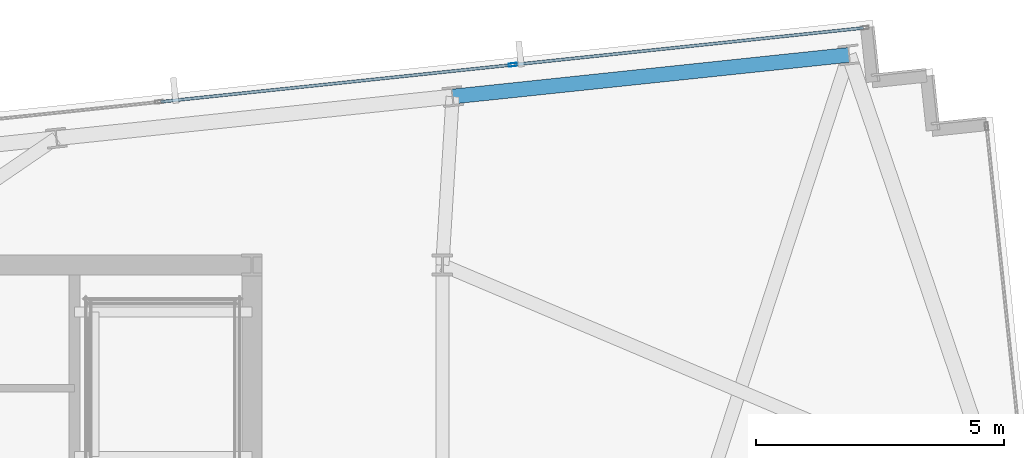
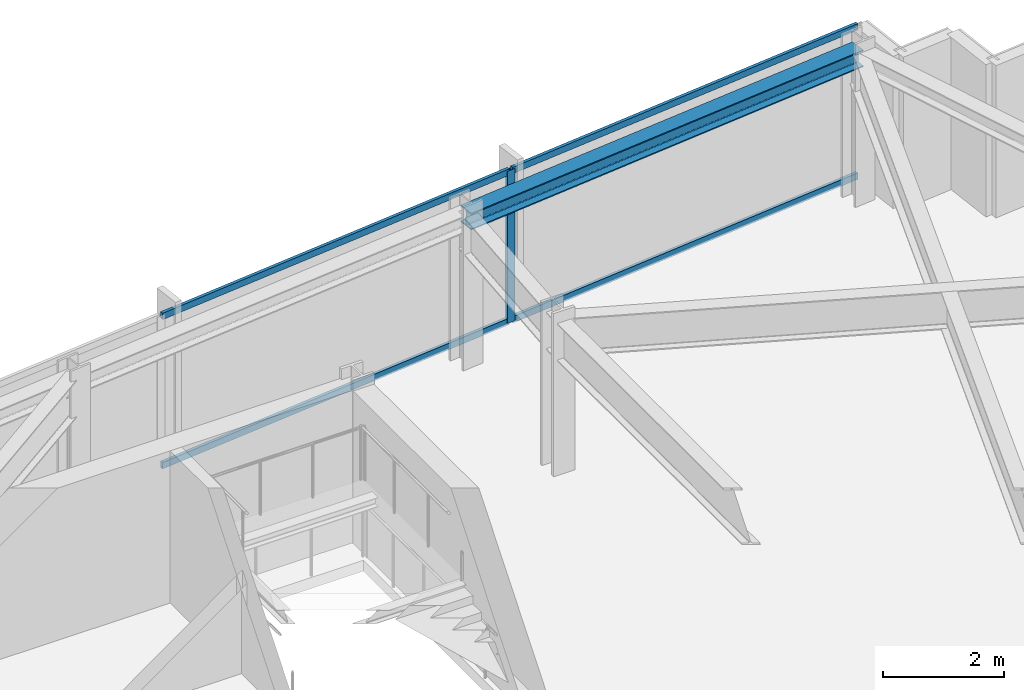
# One storey, part 24 of 32: 5 members, 1 beam, 1 element without a shape of its own.
"""IFC4 building model written with IfcOpenShell, lengths in metres."""

from ifc_helpers import new_model, si_unit, direction, frame, origin, origin_2d, place, context, subcontext, project, spatial, hollow_rectangle, i_section, extrude, material, material_profile, profile_set, type_object, element, aggregate, save


model = new_model("IFC4")

# Units and contexts
model_context = context("Model", 3, precision=1e-05, world=origin(), true_north=direction((0.0, 1.0)))
body_context = subcontext(model_context, "Body", "Model", "MODEL_VIEW")
ifc_project = project(units=[si_unit("LENGTHUNIT", "METRE"), si_unit("AREAUNIT", "SQUARE_METRE"), si_unit("VOLUMEUNIT", "CUBIC_METRE"), si_unit("PLANEANGLEUNIT", "RADIAN"), si_unit("MASSUNIT", "GRAM", prefix="KILO")], contexts=[model_context])

# Site, building, storey
site_placement = place(None, origin())
site = spatial("IfcSite", under=ifc_project, at=site_placement, CompositionType="ELEMENT")
building_placement = place(site_placement, origin())
building = spatial("IfcBuilding", under=site, at=building_placement, Name="Yelkora Congress Tower", CompositionType="ELEMENT")
storey_placement = place(building_placement, frame((0.0, 0.0, 211.10009765625)))
storey = spatial("IfcBuildingStorey", under=building, at=storey_placement, Name="L58", CompositionType="ELEMENT", Elevation=211.10009765625)

# Beam
ifc_material_1 = material(Name="Steel S355J2", Category="steel")
ifc_material_profile_1 = material_profile(ifc_material_1, i_section(OverallWidth=0.300048828125, OverallDepth=0.340087890625, WebThickness=0.011962890625, FlangeThickness=0.021484375, FilletRadius=0.027099609375, at=origin_2d()), Name="HEB 340")
ifc_profile_set_1 = profile_set([ifc_material_profile_1], Name="Steel S355J2")
beam_type = type_object("IfcBeamType", Name="BM-SPAN-HEB340", PredefinedType="SPANDREL", material=ifc_profile_set_1)
beam_placement = place(storey_placement, frame((65.7958984375, 50.4365234375, 2.909912109375), z_axis=(-0.994520097542, -0.104545567032, 0.0), x_axis=(0.104545567032, -0.994520097542, 0.0)))
element("IfcBeam", 1, at=beam_placement, inside=storey, type_object=beam_type, Name="L58 Perimeter Beam 13", PredefinedType="SPANDREL", context=body_context, shape_type="SweptSolid", body=[
    extrude(i_section(OverallWidth=0.300048828125, OverallDepth=0.340087890625, WebThickness=0.011962890625, FlangeThickness=0.021484375, FilletRadius=0.027099609375, at=origin_2d()), origin(), (0.0, 0.0, 1.0), 8.033203125),
])

# Curtain wall, members
ifc_material_2 = material(Name="Anodised aluminium and insulated glass", Category="aluminium")
curtain_wall_type = type_object("IfcCurtainWallType", Name="CW-SYS-B4", PredefinedType="NOTDEFINED", material=ifc_material_2)
curtain_wall_placement = place(storey_placement, origin())
curtain_wall = element("IfcCurtainWall", 2, at=curtain_wall_placement, inside=storey, type_object=curtain_wall_type, Name="L58 Unitised Curtain Wall 10 (3)", PredefinedType="NOTDEFINED")
ifc_material_3 = material(Name="Anodised aluminium 6063-T6", Category="aluminium")
ifc_material_profile_2 = material_profile(ifc_material_3, hollow_rectangle(XDim=0.06494140625, YDim=0.159912109375, WallThickness=0.00390625, at=origin_2d()), Name="ALU 65x160x4")
ifc_profile_set_2 = profile_set([ifc_material_profile_2], Name="Anodised aluminium 6063-T6")
member_type_1 = type_object("IfcMemberType", Name="MEM-ML-B4", PredefinedType="MULLION", material=ifc_profile_set_2)
member_1_placement = place(storey_placement, frame((59.019775390625, 50.237060546875, 0.0), z_axis=(0.0, 0.0, 1.0), x_axis=(-0.104527724021, 0.994521973066, 0.0)))
member_1 = element("IfcMember", 3, at=member_1_placement, type_object=member_type_1, Name="CW-B4 mullion 6", PredefinedType="MULLION", context=body_context, shape_type="SweptSolid", body=[
    extrude(hollow_rectangle(XDim=0.06494140625, YDim=0.159912109375, WallThickness=0.00390625, at=origin_2d()), origin(), (0.0, 0.0, 1.0), 3.079833984375),
])
ifc_material_profile_3 = material_profile(ifc_material_3, hollow_rectangle(XDim=0.06005859375, YDim=0.1298828125, WallThickness=0.00390625, at=origin_2d()), Name="ALU 60x130x4")
ifc_profile_set_3 = profile_set([ifc_material_profile_3], Name="Anodised aluminium 6063-T6")
member_type_2 = type_object("IfcMemberType", Name="MEM-TR-B4", PredefinedType="USERDEFINED", material=ifc_profile_set_3)
member_2_placement = place(storey_placement, frame((51.92138671875, 49.490966796875, 0.02978515625), z_axis=(0.99452200925, 0.104527379751, 0.0), x_axis=(-0.104527379751, 0.99452200925, 0.0)))
member_2 = element("IfcMember", 4, at=member_2_placement, type_object=member_type_2, Name="CW-B4 transom 5.1", ObjectType="TRANSOM", PredefinedType="USERDEFINED", context=body_context, shape_type="SweptSolid", body=[
    extrude(hollow_rectangle(XDim=0.06005859375, YDim=0.1298828125, WallThickness=0.00390625, at=origin_2d()), origin(), (0.0, 0.0, 1.0), 7.10498046875),
])
member_3_placement = place(storey_placement, frame((51.92138671875, 49.490966796875, 3.0498046875), z_axis=(0.99452200925, 0.104527379751, 0.0), x_axis=(-0.104527379751, 0.99452200925, 0.0)))
member_3 = element("IfcMember", 5, at=member_3_placement, type_object=member_type_2, Name="CW-B4 transom 5.2", ObjectType="TRANSOM", PredefinedType="USERDEFINED", context=body_context, shape_type="SweptSolid", body=[
    extrude(hollow_rectangle(XDim=0.06005859375, YDim=0.1298828125, WallThickness=0.00390625, at=origin_2d()), origin(), (0.0, 0.0, 1.0), 7.10498046875),
])
member_4_placement = place(storey_placement, frame((59.052001953125, 50.240478515625, 0.02978515625), z_axis=(0.994522462765, 0.104523064706, 0.0), x_axis=(-0.104523064706, 0.994522462765, 0.0)))
member_4 = element("IfcMember", 6, at=member_4_placement, type_object=member_type_2, Name="CW-B4 transom 6.1", ObjectType="TRANSOM", PredefinedType="USERDEFINED", context=body_context, shape_type="SweptSolid", body=[
    extrude(hollow_rectangle(XDim=0.06005859375, YDim=0.1298828125, WallThickness=0.00390625, at=origin_2d()), origin(), (0.0, 0.0, 1.0), 7.07275390625),
])
member_5_placement = place(storey_placement, frame((59.052001953125, 50.240478515625, 3.0498046875), z_axis=(0.994522462765, 0.104523064706, 0.0), x_axis=(-0.104523064706, 0.994522462765, 0.0)))
member_5 = element("IfcMember", 7, at=member_5_placement, type_object=member_type_2, Name="CW-B4 transom 6.2", ObjectType="TRANSOM", PredefinedType="USERDEFINED", context=body_context, shape_type="SweptSolid", body=[
    extrude(hollow_rectangle(XDim=0.06005859375, YDim=0.1298828125, WallThickness=0.00390625, at=origin_2d()), origin(), (0.0, 0.0, 1.0), 7.07275390625),
])
aggregate(curtain_wall, [member_1, member_2, member_3, member_4, member_5])

save(model, "model.ifc")
